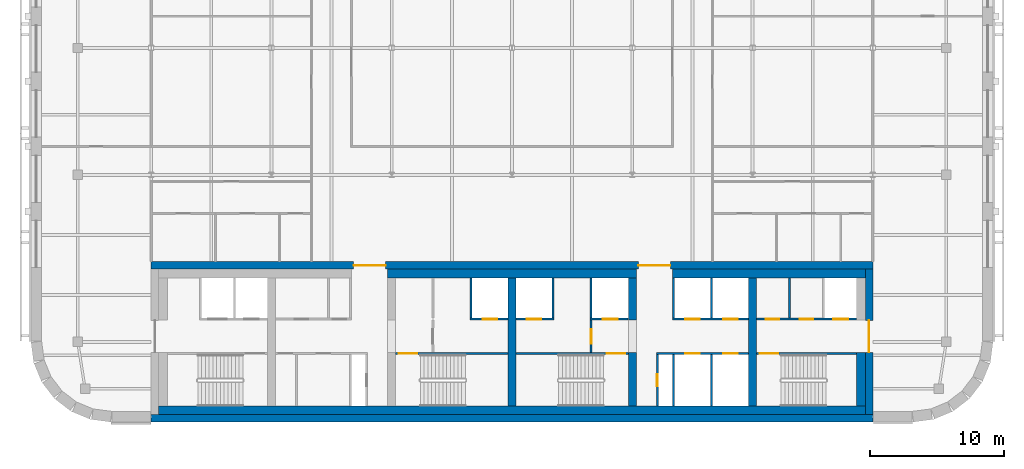
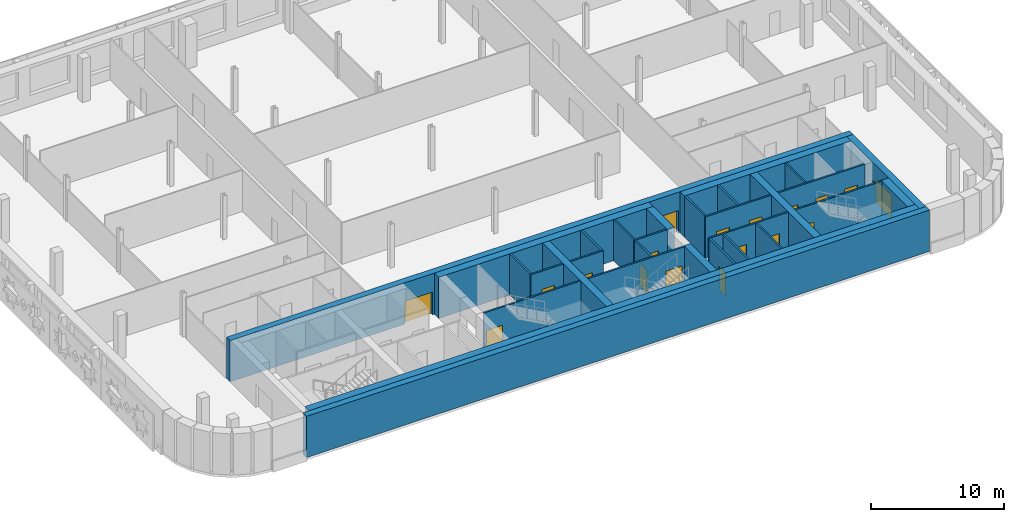
# One storey, part 8 of 16: 30 walls, 18 doors, 18 openings.
"""IFC4 building model written with IfcOpenShell, lengths in metres."""

from ifc_helpers import new_model, si_unit, direction, frame, frame_2d, origin, place, context, subcontext, project, spatial, rectangle, extrude, material, layer, layer_set, type_object, element, fill, save


model = new_model("IFC4")

# Units and contexts
model_context = context("Model", 3, precision=1e-05, world=origin(), true_north=direction((0.0, 1.0)))
body_context = subcontext(model_context, "Body", "Model", "MODEL_VIEW")
ifc_project = project(units=[si_unit("LENGTHUNIT", "METRE"), si_unit("AREAUNIT", "SQUARE_METRE"), si_unit("VOLUMEUNIT", "CUBIC_METRE"), si_unit("PLANEANGLEUNIT", "RADIAN"), si_unit("MASSUNIT", "GRAM", prefix="KILO")], contexts=[model_context])

# Site, building, storey
site_placement = place(None, origin())
site = spatial("IfcSite", under=ifc_project, at=site_placement, CompositionType="ELEMENT")
building_placement = place(site_placement, origin())
building = spatial("IfcBuilding", under=site, at=building_placement, Name="Zellij Exchange Tower", CompositionType="ELEMENT")
storey_placement = place(building_placement, frame((0.0, 0.0, 280.5)))
storey = spatial("IfcBuildingStorey", under=building, at=storey_placement, Name="L66", CompositionType="ELEMENT", Elevation=280.5)

# Walls
ifc_material_1 = material(Name="Concrete C50/60", Category="concrete")
ifc_layer_1 = layer(ifc_material_1, 0.60009765625)
ifc_layer_set_1 = layer_set([ifc_layer_1], Name="Concrete C50/60")
wall_type_1 = type_object("IfcWallType", Name="CORE-CW 600 C50/60", PredefinedType="SHEAR", material=ifc_layer_set_1)
wall_1_placement = place(storey_placement, frame((0.0, -12.800048828125, 0.0), z_axis=(0.0, 0.0, 1.0), x_axis=(0.0, 1.0, 0.0)))
element("IfcWall", 1, at=wall_1_placement, inside=storey, type_object=wall_type_1, Name="Core cross wall x 0 L66", PredefinedType="SHEAR", context=body_context, shape_type="SweptSolid", body=[
    extrude(rectangle(XDim=9.60009765625, YDim=0.60009765625, at=frame_2d((4.800048828125, 0.0))), origin(), (0.0, 0.0, 1.0), 3.780029296875),
])
wall_2_placement = place(storey_placement, frame((9.0, -12.800048828125, 0.0), z_axis=(0.0, 0.0, 1.0), x_axis=(0.0, 1.0, 0.0)))
element("IfcWall", 2, at=wall_2_placement, inside=storey, type_object=wall_type_1, Name="Core cross wall pier x 9 a L66", PredefinedType="SHEAR", context=body_context, shape_type="SweptSolid", body=[
    extrude(rectangle(XDim=4.0, YDim=0.60009765625, at=frame_2d((2.0, 0.0))), origin(), (0.0, 0.0, 1.0), 3.780029296875),
])
wall_3_placement = place(storey_placement, frame((9.0, -6.375, 0.0), z_axis=(0.0, 0.0, 1.0), x_axis=(0.0, 1.0, 0.0)))
element("IfcWall", 3, at=wall_3_placement, inside=storey, type_object=wall_type_1, Name="Core cross wall pier x 9 b L66", PredefinedType="SHEAR", context=body_context, shape_type="SweptSolid", body=[
    extrude(rectangle(XDim=3.175048828125, YDim=0.60009765625, at=frame_2d((1.58740234375, 0.0))), origin(), (0.0, 0.0, 1.0), 3.780029296875),
])
wall_4_placement = place(storey_placement, frame((18.0, -12.800048828125, 0.0), z_axis=(0.0, 0.0, 1.0), x_axis=(0.0, 1.0, 0.0)))
element("IfcWall", 4, at=wall_4_placement, inside=storey, type_object=wall_type_1, Name="Core cross wall x 18 L66", PredefinedType="SHEAR", context=body_context, shape_type="SweptSolid", body=[
    extrude(rectangle(XDim=9.60009765625, YDim=0.60009765625, at=frame_2d((4.800048828125, 0.0))), origin(), (0.0, 0.0, 1.0), 3.780029296875),
])
ifc_material_2 = material(Name="Concrete C30/37", Category="concrete")
ifc_layer_2 = layer(ifc_material_2, 0.64990234375)
ifc_layer_set_2 = layer_set([ifc_layer_2], Name="Concrete C30/37")
wall_type_2 = type_object("IfcWallType", Name="CORE-LW 650 C30/37", PredefinedType="SHEAR", material=ifc_layer_set_2)
wall_5_placement = place(storey_placement, frame((-9.300048828125, -2.875, 0.0), z_axis=(0.0, 0.0, 1.0), x_axis=(1.0, 0.0, 0.0)))
element("IfcWall", 5, at=wall_5_placement, inside=storey, type_object=wall_type_2, Name="Core wall lining front.1 L66", PredefinedType="SHEAR", context=body_context, shape_type="SweptSolid", body=[
    extrude(rectangle(XDim=18.60009765625, YDim=0.64990234375, at=frame_2d((9.300048828125, 0.0))), origin(), (0.0, 0.0, 1.0), 3.780029296875),
])
wall_6_placement = place(storey_placement, frame((12.0, -2.875, 0.0), z_axis=(0.0, 0.0, 1.0), x_axis=(1.0, 0.0, 0.0)))
element("IfcWall", 6, at=wall_6_placement, inside=storey, type_object=wall_type_2, Name="Core wall lining front.2 L66", PredefinedType="SHEAR", context=body_context, shape_type="SweptSolid", body=[
    extrude(rectangle(XDim=14.449951171875, YDim=0.64990234375, at=frame_2d((7.22509765625, 0.0))), origin(), (0.0, 0.0, 1.0), 3.780029296875),
])
wall_7_placement = place(storey_placement, frame((-26.449951171875, -13.125, 0.0), z_axis=(0.0, 0.0, 1.0), x_axis=(1.0, 0.0, 0.0)))
element("IfcWall", 7, at=wall_7_placement, inside=storey, type_object=wall_type_2, Name="Core wall lining rear.0 L66", PredefinedType="SHEAR", context=body_context, shape_type="SweptSolid", body=[
    extrude(rectangle(XDim=52.89990234375, YDim=0.64990234375, at=frame_2d((26.449951171875, 0.0))), origin(), (0.0, 0.0, 1.0), 3.780029296875),
])
wall_8_placement = place(storey_placement, frame((26.125, -12.800048828125, 0.0), z_axis=(0.0, 0.0, 1.0), x_axis=(0.0, 1.0, 0.0)))
element("IfcWall", 8, at=wall_8_placement, inside=storey, type_object=wall_type_2, Name="Core wall lining end e.0 L66", PredefinedType="SHEAR", context=body_context, shape_type="SweptSolid", body=[
    extrude(rectangle(XDim=4.0, YDim=0.64990234375, at=frame_2d((2.0, 0.0))), origin(), (0.0, 0.0, 1.0), 3.780029296875),
])

# Wall, opening, door
ifc_material_3 = material(Name="Gypsum shaft wall system")
ifc_layer_3 = layer(ifc_material_3, 0.14990234375)
ifc_layer_set_3 = layer_set([ifc_layer_3], Name="Gypsum shaft wall system")
wall_type_3 = type_object("IfcWallType", Name="CORE-PW 150 Firefighting lobby wall", PredefinedType="PARTITIONING", material=ifc_layer_set_3)
wall_9_placement = place(storey_placement, frame((5.925048828125, -8.800048828125, 0.0), z_axis=(0.0, 0.0, 1.0), x_axis=(0.0, 1.0, 0.0)))
wall_9 = element("IfcWall", 9, at=wall_9_placement, inside=storey, type_object=wall_type_3, Name="Firefighting lobby wall L66", PredefinedType="PARTITIONING", context=body_context, shape_type="SweptSolid", body=[
    extrude(rectangle(XDim=2.425048828125, YDim=0.14990234375, at=frame_2d((1.21240234375, 0.0))), origin(), (0.0, 0.0, 1.0), 3.780029296875),
])
opening_1_placement = place(wall_9_placement, frame((0.662109375, 0.0, 0.0)))
opening_1 = element("IfcOpeningElement", 10, at=opening_1_placement, cuts=wall_9, Name="Opening CA-35.15", PredefinedType="OPENING", context=body_context, shape_type="SweptSolid", body=[
    extrude(rectangle(XDim=1.10009765625, YDim=2.10009765625, at=frame_2d((0.550048828125, 1.050048828125))), frame((0.0, 0.0869140625, 0.0), z_axis=(0.0, -1.0, 0.0), x_axis=(1.0, 0.0, 0.0)), (0.0, 0.0, 1.0), 0.173828125),
])
ifc_material_4 = material(Name="Hollow metal fire door")
door_type_1 = type_object("IfcDoorType", Name="CORE-D F Firefighting lobby door 1100x2100 1 HR", OperationType="NOTDEFINED", PredefinedType="DOOR", material=ifc_material_4)
door_1_placement = place(opening_1_placement, origin())
door_1 = element("IfcDoor", 11, at=door_1_placement, inside=storey, type_object=door_type_1, Name="Firefighting lobby door CA-35.15", OperationType="SINGLE_SWING_RIGHT", OverallHeight=2.10009765625, OverallWidth=1.10009765625, PredefinedType="DOOR", context=body_context, shape_type="SweptSolid", body=[
    extrude(rectangle(XDim=1.10009765625, YDim=2.10009765625, at=frame_2d((0.550048828125, 1.050048828125))), frame((0.0, 0.02490234375, 0.0), z_axis=(0.0, -1.0, 0.0), x_axis=(1.0, 0.0, 0.0)), (0.0, 0.0, 1.0), 0.050048828125),
])
fill(opening_1, door_1)

# Wall
ifc_material_5 = material(Name="Gypsum board partition")
ifc_layer_4 = layer(ifc_material_5, 0.14990234375)
ifc_layer_set_4 = layer_set([ifc_layer_4], Name="Gypsum board partition")
wall_type_4 = type_object("IfcWallType", Name="CORE-PW 150 Lift lobby wall", PredefinedType="PARTITIONING", material=ifc_layer_set_4)
wall_10_placement = place(storey_placement, frame((20.77490234375, -6.22509765625, 0.0), z_axis=(0.0, 0.0, 1.0), x_axis=(0.0, 1.0, 0.0)))
element("IfcWall", 12, at=wall_10_placement, inside=storey, type_object=wall_type_4, Name="Lift lobby wall L66", PredefinedType="PARTITIONING", context=body_context, shape_type="SweptSolid", body=[
    extrude(rectangle(XDim=3.025146484375, YDim=0.14990234375, at=frame_2d((1.5126953125, 0.0))), origin(), (0.0, 0.0, 1.0), 3.780029296875),
])

# Wall, opening, door
wall_11_placement = place(storey_placement, frame((10.875, -12.800048828125, 0.0), z_axis=(0.0, 0.0, 1.0), x_axis=(0.0, 1.0, 0.0)))
wall_11 = element("IfcWall", 13, at=wall_11_placement, inside=storey, type_object=wall_type_4, Name="Lift lobby wall L66", PredefinedType="PARTITIONING", context=body_context, shape_type="SweptSolid", body=[
    extrude(rectangle(XDim=3.85009765625, YDim=0.14990234375, at=frame_2d((1.925048828125, 0.0))), origin(), (0.0, 0.0, 1.0), 3.780029296875),
])
opening_2_placement = place(wall_11_placement, frame((1.47509765625, 0.0, 0.0)))
opening_2 = element("IfcOpeningElement", 14, at=opening_2_placement, cuts=wall_11, Name="Opening CA-35.19", PredefinedType="OPENING", context=body_context, shape_type="SweptSolid", body=[
    extrude(rectangle(XDim=0.89990234375, YDim=2.10009765625, at=frame_2d((0.449951171875, 1.050048828125))), frame((0.0, 0.0869140625, 0.0), z_axis=(0.0, -1.0, 0.0), x_axis=(1.0, 0.0, 0.0)), (0.0, 0.0, 1.0), 0.173828125),
])
door_type_2 = type_object("IfcDoorType", Name="CORE-D RD Riser door 900x2100 1.5 HR", OperationType="NOTDEFINED", PredefinedType="DOOR", material=ifc_material_4)
door_2_placement = place(opening_2_placement, origin())
door_2 = element("IfcDoor", 15, at=door_2_placement, inside=storey, type_object=door_type_2, Name="Riser door CA-35.19", OperationType="SINGLE_SWING_LEFT", OverallHeight=2.10009765625, OverallWidth=0.89990234375, PredefinedType="DOOR", context=body_context, shape_type="SweptSolid", body=[
    extrude(rectangle(XDim=0.89990234375, YDim=2.10009765625, at=frame_2d((0.449951171875, 1.050048828125))), frame((0.0, 0.02490234375, 0.0), z_axis=(0.0, -1.0, 0.0), x_axis=(1.0, 0.0, 0.0)), (0.0, 0.0, 1.0), 0.050048828125),
])
fill(opening_2, door_2)

# Walls
ifc_layer_5 = layer(ifc_material_3, 0.14990234375)
ifc_layer_set_5 = layer_set([ifc_layer_5], Name="Gypsum shaft wall system")
wall_type_5 = type_object("IfcWallType", Name="CORE-PW 150 Lift shaft wall", PredefinedType="PARTITIONING", material=ifc_layer_set_5)
for number, where, z_axis, x_axis, name in (
    (16, (-3.074951171875, -6.22509765625, 0.0), (0.0, 0.0, 1.0), (0.0, 1.0, 0.0), "Lift shaft wall L66"),
    (17, (3.074951171875, -6.22509765625, 0.0), (0.0, 0.0, 1.0), (0.0, 1.0, 0.0), "Lift shaft wall L66"),
    (18, (5.925048828125, -6.22509765625, 0.0), (0.0, 0.0, 1.0), (0.0, 1.0, 0.0), "Lift shaft wall L66"),
    (19, (12.074951171875, -6.22509765625, 0.0), (0.0, 0.0, 1.0), (0.0, 1.0, 0.0), "Lift shaft wall L66"),
    (20, (14.925048828125, -6.22509765625, 0.0), (0.0, 0.0, 1.0), (0.0, 1.0, 0.0), "Lift shaft wall L66"),
):
    element("IfcWall", number, at=place(storey_placement, frame(where, z_axis=z_axis, x_axis=x_axis)), inside=storey, type_object=wall_type_5, Name=name, PredefinedType="PARTITIONING", context=body_context, shape_type="SweptSolid", body=[
        extrude(rectangle(XDim=3.025146484375, YDim=0.14990234375, at=frame_2d((1.5126953125, 0.0))), origin(), (0.0, 0.0, 1.0), 3.780029296875),
    ])
for number, where, z_axis, x_axis, name in (
    (21, (12.074951171875, -12.800048828125, 0.0), (0.0, 0.0, 1.0), (0.0, 1.0, 0.0), "Lift shaft wall L66"),
    (22, (14.925048828125, -12.800048828125, 0.0), (0.0, 0.0, 1.0), (0.0, 1.0, 0.0), "Lift shaft wall L66"),
):
    element("IfcWall", number, at=place(storey_placement, frame(where, z_axis=z_axis, x_axis=x_axis)), inside=storey, type_object=wall_type_5, Name=name, PredefinedType="PARTITIONING", context=body_context, shape_type="SweptSolid", body=[
        extrude(rectangle(XDim=3.85009765625, YDim=0.14990234375, at=frame_2d((1.925048828125, 0.0))), origin(), (0.0, 0.0, 1.0), 3.780029296875),
    ])

# Wall, opening, door
wall_12_placement = place(storey_placement, frame((-3.14990234375, -6.300048828125, 0.0), z_axis=(0.0, 0.0, 1.0), x_axis=(1.0, 0.0, 0.0)))
wall_12 = element("IfcWall", 23, at=wall_12_placement, inside=storey, type_object=wall_type_5, Name="Lift shaft wall L66", PredefinedType="PARTITIONING", context=body_context, shape_type="SweptSolid", body=[
    extrude(rectangle(XDim=2.849853515625, YDim=0.14990234375, at=frame_2d((1.4248046875, 0.0))), origin(), (0.0, 0.0, 1.0), 3.780029296875),
])
opening_3_placement = place(wall_12_placement, frame((0.949951171875, 0.0, 0.0)))
opening_3 = element("IfcOpeningElement", 24, at=opening_3_placement, cuts=wall_12, Name="Opening CA-35.13", PredefinedType="OPENING", context=body_context, shape_type="SweptSolid", body=[
    extrude(rectangle(XDim=1.10009765625, YDim=2.10009765625, at=frame_2d((0.550048828125, 1.050048828125))), frame((0.0, 0.0869140625, 0.0), z_axis=(0.0, -1.0, 0.0), x_axis=(1.0, 0.0, 0.0)), (0.0, 0.0, 1.0), 0.173828125),
])
door_type_3 = type_object("IfcDoorType", Name="CORE-D LD Lift landing door 1100x2100 1.5 HR", OperationType="NOTDEFINED", PredefinedType="DOOR", material=ifc_material_4)
door_3_placement = place(opening_3_placement, origin())
door_3 = element("IfcDoor", 25, at=door_3_placement, inside=storey, type_object=door_type_3, Name="Lift landing door CA-35.13", OperationType="SLIDING_TO_LEFT", OverallHeight=2.10009765625, OverallWidth=1.10009765625, PredefinedType="DOOR", context=body_context, shape_type="SweptSolid", body=[
    extrude(rectangle(XDim=1.10009765625, YDim=2.10009765625, at=frame_2d((0.550048828125, 1.050048828125))), frame((0.0, 0.02490234375, 0.0), z_axis=(0.0, -1.0, 0.0), x_axis=(1.0, 0.0, 0.0)), (0.0, 0.0, 1.0), 0.050048828125),
])
fill(opening_3, door_3)

wall_13_placement = place(storey_placement, frame((0.300048828125, -6.300048828125, 0.0), z_axis=(0.0, 0.0, 1.0), x_axis=(1.0, 0.0, 0.0)))
wall_13 = element("IfcWall", 26, at=wall_13_placement, inside=storey, type_object=wall_type_5, Name="Lift shaft wall L66", PredefinedType="PARTITIONING", context=body_context, shape_type="SweptSolid", body=[
    extrude(rectangle(XDim=2.849853515625, YDim=0.14990234375, at=frame_2d((1.4248046875, 0.0))), origin(), (0.0, 0.0, 1.0), 3.780029296875),
])
opening_4_placement = place(wall_13_placement, frame((0.800048828125, 0.0, 0.0)))
opening_4 = element("IfcOpeningElement", 27, at=opening_4_placement, cuts=wall_13, Name="Opening CA-35.14", PredefinedType="OPENING", context=body_context, shape_type="SweptSolid", body=[
    extrude(rectangle(XDim=1.10009765625, YDim=2.10009765625, at=frame_2d((0.550048828125, 1.050048828125))), frame((0.0, 0.0869140625, 0.0), z_axis=(0.0, -1.0, 0.0), x_axis=(1.0, 0.0, 0.0)), (0.0, 0.0, 1.0), 0.173828125),
])
door_4_placement = place(opening_4_placement, origin())
door_4 = element("IfcDoor", 28, at=door_4_placement, inside=storey, type_object=door_type_3, Name="Lift landing door CA-35.14", OperationType="SLIDING_TO_RIGHT", OverallHeight=2.10009765625, OverallWidth=1.10009765625, PredefinedType="DOOR", context=body_context, shape_type="SweptSolid", body=[
    extrude(rectangle(XDim=1.10009765625, YDim=2.10009765625, at=frame_2d((0.550048828125, 1.050048828125))), frame((0.0, 0.02490234375, 0.0), z_axis=(0.0, -1.0, 0.0), x_axis=(1.0, 0.0, 0.0)), (0.0, 0.0, 1.0), 0.050048828125),
])
fill(opening_4, door_4)

wall_14_placement = place(storey_placement, frame((5.85009765625, -6.300048828125, 0.0), z_axis=(0.0, 0.0, 1.0), x_axis=(1.0, 0.0, 0.0)))
wall_14 = element("IfcWall", 29, at=wall_14_placement, inside=storey, type_object=wall_type_5, Name="Lift shaft wall L66", PredefinedType="PARTITIONING", context=body_context, shape_type="SweptSolid", body=[
    extrude(rectangle(XDim=2.849853515625, YDim=0.14990234375, at=frame_2d((1.4248046875, 0.0))), origin(), (0.0, 0.0, 1.0), 3.780029296875),
])
opening_5_placement = place(wall_14_placement, frame((0.949951171875, 0.0, 0.0)))
opening_5 = element("IfcOpeningElement", 30, at=opening_5_placement, cuts=wall_14, Name="Opening CA-35.16", PredefinedType="OPENING", context=body_context, shape_type="SweptSolid", body=[
    extrude(rectangle(XDim=1.10009765625, YDim=2.10009765625, at=frame_2d((0.550048828125, 1.050048828125))), frame((0.0, 0.0869140625, 0.0), z_axis=(0.0, -1.0, 0.0), x_axis=(1.0, 0.0, 0.0)), (0.0, 0.0, 1.0), 0.173828125),
])
door_5_placement = place(opening_5_placement, origin())
door_5 = element("IfcDoor", 31, at=door_5_placement, inside=storey, type_object=door_type_3, Name="Lift landing door CA-35.16", OperationType="SLIDING_TO_RIGHT", OverallHeight=2.10009765625, OverallWidth=1.10009765625, PredefinedType="DOOR", context=body_context, shape_type="SweptSolid", body=[
    extrude(rectangle(XDim=1.10009765625, YDim=2.10009765625, at=frame_2d((0.550048828125, 1.050048828125))), frame((0.0, 0.02490234375, 0.0), z_axis=(0.0, -1.0, 0.0), x_axis=(1.0, 0.0, 0.0)), (0.0, 0.0, 1.0), 0.050048828125),
])
fill(opening_5, door_5)

# Wall, openings, doors
wall_15_placement = place(storey_placement, frame((12.0, -6.300048828125, 0.0), z_axis=(0.0, 0.0, 1.0), x_axis=(1.0, 0.0, 0.0)))
wall_15 = element("IfcWall", 32, at=wall_15_placement, inside=storey, type_object=wall_type_5, Name="Lift shaft wall L66", PredefinedType="PARTITIONING", context=body_context, shape_type="SweptSolid", body=[
    extrude(rectangle(XDim=5.699951171875, YDim=0.14990234375, at=frame_2d((2.85009765625, 0.0))), origin(), (0.0, 0.0, 1.0), 3.780029296875),
])
opening_6_placement = place(wall_15_placement, frame((0.949951171875, 0.0, 0.0)))
opening_6 = element("IfcOpeningElement", 33, at=opening_6_placement, cuts=wall_15, Name="Opening CA-35.21", PredefinedType="OPENING", context=body_context, shape_type="SweptSolid", body=[
    extrude(rectangle(XDim=1.10009765625, YDim=2.10009765625, at=frame_2d((0.550048828125, 1.050048828125))), frame((0.0, 0.0869140625, 0.0), z_axis=(0.0, -1.0, 0.0), x_axis=(1.0, 0.0, 0.0)), (0.0, 0.0, 1.0), 0.173828125),
])
opening_7_placement = place(wall_15_placement, frame((3.800048828125, 0.0, 0.0)))
opening_7 = element("IfcOpeningElement", 34, at=opening_7_placement, cuts=wall_15, Name="Opening CA-35.23", PredefinedType="OPENING", context=body_context, shape_type="SweptSolid", body=[
    extrude(rectangle(XDim=1.10009765625, YDim=2.10009765625, at=frame_2d((0.550048828125, 1.050048828125))), frame((0.0, 0.0869140625, 0.0), z_axis=(0.0, -1.0, 0.0), x_axis=(1.0, 0.0, 0.0)), (0.0, 0.0, 1.0), 0.173828125),
])
door_6_placement = place(opening_6_placement, origin())
door_6 = element("IfcDoor", 35, at=door_6_placement, inside=storey, type_object=door_type_3, Name="Lift landing door CA-35.21", OperationType="SLIDING_TO_LEFT", OverallHeight=2.10009765625, OverallWidth=1.10009765625, PredefinedType="DOOR", context=body_context, shape_type="SweptSolid", body=[
    extrude(rectangle(XDim=1.10009765625, YDim=2.10009765625, at=frame_2d((0.550048828125, 1.050048828125))), frame((0.0, 0.02490234375, 0.0), z_axis=(0.0, -1.0, 0.0), x_axis=(1.0, 0.0, 0.0)), (0.0, 0.0, 1.0), 0.050048828125),
])
fill(opening_6, door_6)
door_7_placement = place(opening_7_placement, origin())
door_7 = element("IfcDoor", 36, at=door_7_placement, inside=storey, type_object=door_type_3, Name="Lift landing door CA-35.23", OperationType="SLIDING_TO_LEFT", OverallHeight=2.10009765625, OverallWidth=1.10009765625, PredefinedType="DOOR", context=body_context, shape_type="SweptSolid", body=[
    extrude(rectangle(XDim=1.10009765625, YDim=2.10009765625, at=frame_2d((0.550048828125, 1.050048828125))), frame((0.0, 0.02490234375, 0.0), z_axis=(0.0, -1.0, 0.0), x_axis=(1.0, 0.0, 0.0)), (0.0, 0.0, 1.0), 0.050048828125),
])
fill(opening_7, door_7)

wall_16_placement = place(storey_placement, frame((18.300048828125, -6.300048828125, 0.0), z_axis=(0.0, 0.0, 1.0), x_axis=(1.0, 0.0, 0.0)))
wall_16 = element("IfcWall", 37, at=wall_16_placement, inside=storey, type_object=wall_type_5, Name="Lift shaft wall L66", PredefinedType="PARTITIONING", context=body_context, shape_type="SweptSolid", body=[
    extrude(rectangle(XDim=7.5, YDim=0.14990234375, at=frame_2d((3.75, 0.0))), origin(), (0.0, 0.0, 1.0), 3.780029296875),
])
opening_8_placement = place(wall_16_placement, frame((0.699951171875, 0.0, 0.0)))
opening_8 = element("IfcOpeningElement", 38, at=opening_8_placement, cuts=wall_16, Name="Opening CA-35.25", PredefinedType="OPENING", context=body_context, shape_type="SweptSolid", body=[
    extrude(rectangle(XDim=1.0, YDim=2.10009765625, at=frame_2d((0.5, 1.050048828125))), frame((0.0, 0.0869140625, 0.0), z_axis=(0.0, -1.0, 0.0), x_axis=(1.0, 0.0, 0.0)), (0.0, 0.0, 1.0), 0.173828125),
])
opening_9_placement = place(wall_16_placement, frame((3.25, 0.0, 0.0)))
opening_9 = element("IfcOpeningElement", 39, at=opening_9_placement, cuts=wall_16, Name="Opening CA-35.26", PredefinedType="OPENING", context=body_context, shape_type="SweptSolid", body=[
    extrude(rectangle(XDim=1.0, YDim=2.10009765625, at=frame_2d((0.5, 1.050048828125))), frame((0.0, 0.0869140625, 0.0), z_axis=(0.0, -1.0, 0.0), x_axis=(1.0, 0.0, 0.0)), (0.0, 0.0, 1.0), 0.173828125),
])
opening_10_placement = place(wall_16_placement, frame((5.75, 0.0, 0.0)))
opening_10 = element("IfcOpeningElement", 40, at=opening_10_placement, cuts=wall_16, Name="Opening CA-35.27", PredefinedType="OPENING", context=body_context, shape_type="SweptSolid", body=[
    extrude(rectangle(XDim=1.10009765625, YDim=2.10009765625, at=frame_2d((0.550048828125, 1.050048828125))), frame((0.0, 0.0869140625, 0.0), z_axis=(0.0, -1.0, 0.0), x_axis=(1.0, 0.0, 0.0)), (0.0, 0.0, 1.0), 0.173828125),
])
door_type_4 = type_object("IfcDoorType", Name="CORE-D CD Core room door 1000x2100 1 HR", OperationType="NOTDEFINED", PredefinedType="DOOR", material=ifc_material_4)
door_8_placement = place(opening_8_placement, origin())
door_8 = element("IfcDoor", 41, at=door_8_placement, inside=storey, type_object=door_type_4, Name="Core room door CA-35.25", OperationType="SINGLE_SWING_LEFT", OverallHeight=2.10009765625, OverallWidth=1.0, PredefinedType="DOOR", context=body_context, shape_type="SweptSolid", body=[
    extrude(rectangle(XDim=1.0, YDim=2.10009765625, at=frame_2d((0.5, 1.050048828125))), frame((0.0, 0.02490234375, 0.0), z_axis=(0.0, -1.0, 0.0), x_axis=(1.0, 0.0, 0.0)), (0.0, 0.0, 1.0), 0.050048828125),
])
fill(opening_8, door_8)
door_9_placement = place(opening_9_placement, origin())
door_9 = element("IfcDoor", 42, at=door_9_placement, inside=storey, type_object=door_type_4, Name="Core room door CA-35.26", OperationType="SINGLE_SWING_LEFT", OverallHeight=2.10009765625, OverallWidth=1.0, PredefinedType="DOOR", context=body_context, shape_type="SweptSolid", body=[
    extrude(rectangle(XDim=1.0, YDim=2.10009765625, at=frame_2d((0.5, 1.050048828125))), frame((0.0, 0.02490234375, 0.0), z_axis=(0.0, -1.0, 0.0), x_axis=(1.0, 0.0, 0.0)), (0.0, 0.0, 1.0), 0.050048828125),
])
fill(opening_9, door_9)
door_10_placement = place(opening_10_placement, origin())
door_10 = element("IfcDoor", 43, at=door_10_placement, inside=storey, type_object=door_type_3, Name="Lift landing door CA-35.27", OperationType="SLIDING_TO_LEFT", OverallHeight=2.10009765625, OverallWidth=1.10009765625, PredefinedType="DOOR", context=body_context, shape_type="SweptSolid", body=[
    extrude(rectangle(XDim=1.10009765625, YDim=2.10009765625, at=frame_2d((0.550048828125, 1.050048828125))), frame((0.0, 0.02490234375, 0.0), z_axis=(0.0, -1.0, 0.0), x_axis=(1.0, 0.0, 0.0)), (0.0, 0.0, 1.0), 0.050048828125),
])
fill(opening_10, door_10)

wall_17_placement = place(storey_placement, frame((10.800048828125, -8.875, 0.0), z_axis=(0.0, 0.0, 1.0), x_axis=(1.0, 0.0, 0.0)))
wall_17 = element("IfcWall", 44, at=wall_17_placement, inside=storey, type_object=wall_type_5, Name="Lift shaft wall L66", PredefinedType="PARTITIONING", context=body_context, shape_type="SweptSolid", body=[
    extrude(rectangle(XDim=6.89990234375, YDim=0.14990234375, at=frame_2d((3.449951171875, 0.0))), origin(), (0.0, 0.0, 1.0), 3.780029296875),
])
opening_11_placement = place(wall_17_placement, frame((2.14990234375, 0.0, 0.0)))
opening_11 = element("IfcOpeningElement", 45, at=opening_11_placement, cuts=wall_17, Name="Opening CA-35.20", PredefinedType="OPENING", context=body_context, shape_type="SweptSolid", body=[
    extrude(rectangle(XDim=1.10009765625, YDim=2.10009765625, at=frame_2d((0.550048828125, 1.050048828125))), frame((0.0, 0.0869140625, 0.0), z_axis=(0.0, -1.0, 0.0), x_axis=(1.0, 0.0, 0.0)), (0.0, 0.0, 1.0), 0.173828125),
])
opening_12_placement = place(wall_17_placement, frame((5.0, 0.0, 0.0)))
opening_12 = element("IfcOpeningElement", 46, at=opening_12_placement, cuts=wall_17, Name="Opening CA-35.22", PredefinedType="OPENING", context=body_context, shape_type="SweptSolid", body=[
    extrude(rectangle(XDim=1.10009765625, YDim=2.10009765625, at=frame_2d((0.550048828125, 1.050048828125))), frame((0.0, 0.0869140625, 0.0), z_axis=(0.0, -1.0, 0.0), x_axis=(1.0, 0.0, 0.0)), (0.0, 0.0, 1.0), 0.173828125),
])
door_11_placement = place(opening_11_placement, origin())
door_11 = element("IfcDoor", 47, at=door_11_placement, inside=storey, type_object=door_type_3, Name="Lift landing door CA-35.20", OperationType="SLIDING_TO_RIGHT", OverallHeight=2.10009765625, OverallWidth=1.10009765625, PredefinedType="DOOR", context=body_context, shape_type="SweptSolid", body=[
    extrude(rectangle(XDim=1.10009765625, YDim=2.10009765625, at=frame_2d((0.550048828125, 1.050048828125))), frame((0.0, 0.02490234375, 0.0), z_axis=(0.0, -1.0, 0.0), x_axis=(1.0, 0.0, 0.0)), (0.0, 0.0, 1.0), 0.050048828125),
])
fill(opening_11, door_11)
door_12_placement = place(opening_12_placement, origin())
door_12 = element("IfcDoor", 48, at=door_12_placement, inside=storey, type_object=door_type_3, Name="Lift landing door CA-35.22", OperationType="SLIDING_TO_RIGHT", OverallHeight=2.10009765625, OverallWidth=1.10009765625, PredefinedType="DOOR", context=body_context, shape_type="SweptSolid", body=[
    extrude(rectangle(XDim=1.10009765625, YDim=2.10009765625, at=frame_2d((0.550048828125, 1.050048828125))), frame((0.0, 0.02490234375, 0.0), z_axis=(0.0, -1.0, 0.0), x_axis=(1.0, 0.0, 0.0)), (0.0, 0.0, 1.0), 0.050048828125),
])
fill(opening_12, door_12)

ifc_layer_6 = layer(ifc_material_1, 0.550048828125)
ifc_layer_set_6 = layer_set([ifc_layer_6], Name="Concrete C50/60")
wall_type_6 = type_object("IfcWallType", Name="CORE-SW 550 C50/60", PredefinedType="SHEAR", material=ifc_layer_set_6)
wall_18_placement = place(storey_placement, frame((-27.0, -2.27490234375, 0.0), z_axis=(0.0, 0.0, 1.0), x_axis=(1.0, 0.0, 0.0)))
wall_18 = element("IfcWall", 49, at=wall_18_placement, inside=storey, type_object=wall_type_6, Name="Core shear wall front L66", PredefinedType="SHEAR", context=body_context, shape_type="SweptSolid", body=[
    extrude(rectangle(XDim=54.0, YDim=0.550048828125, at=frame_2d((27.0, 0.0))), origin(), (0.0, 0.0, 1.0), 3.780029296875),
])
opening_13_placement = place(wall_18_placement, frame((15.14990234375, 0.0, 0.0)))
opening_13 = element("IfcOpeningElement", 50, at=opening_13_placement, cuts=wall_18, Name="Opening CA-35.10", PredefinedType="OPENING", context=body_context, shape_type="SweptSolid", body=[
    extrude(rectangle(XDim=2.39990234375, YDim=2.10009765625, at=frame_2d((1.199951171875, 1.050048828125))), frame((0.0, 0.287109375, 0.0), z_axis=(0.0, -1.0, 0.0), x_axis=(1.0, 0.0, 0.0)), (0.0, 0.0, 1.0), 0.573974609375),
])
opening_14_placement = place(wall_18_placement, frame((36.449951171875, 0.0, 0.0)))
opening_14 = element("IfcOpeningElement", 51, at=opening_14_placement, cuts=wall_18, Name="Opening CA-35.18", PredefinedType="OPENING", context=body_context, shape_type="SweptSolid", body=[
    extrude(rectangle(XDim=2.39990234375, YDim=2.10009765625, at=frame_2d((1.199951171875, 1.050048828125))), frame((0.0, 0.287109375, 0.0), z_axis=(0.0, -1.0, 0.0), x_axis=(1.0, 0.0, 0.0)), (0.0, 0.0, 1.0), 0.573974609375),
])
door_type_5 = type_object("IfcDoorType", Name="CORE-D CE Core entrance door 2400x2100 20 MIN", OperationType="NOTDEFINED", PredefinedType="DOOR", material=ifc_material_4)
door_13_placement = place(opening_13_placement, origin())
door_13 = element("IfcDoor", 52, at=door_13_placement, inside=storey, type_object=door_type_5, Name="Core entrance door CA-35.10", OperationType="DOUBLE_DOOR_SINGLE_SWING", OverallHeight=2.10009765625, OverallWidth=2.39990234375, PredefinedType="DOOR", context=body_context, shape_type="SweptSolid", body=[
    extrude(rectangle(XDim=2.39990234375, YDim=2.10009765625, at=frame_2d((1.199951171875, 1.050048828125))), frame((0.0, 0.02490234375, 0.0), z_axis=(0.0, -1.0, 0.0), x_axis=(1.0, 0.0, 0.0)), (0.0, 0.0, 1.0), 0.050048828125),
])
fill(opening_13, door_13)
door_14_placement = place(opening_14_placement, origin())
door_14 = element("IfcDoor", 53, at=door_14_placement, inside=storey, type_object=door_type_5, Name="Core entrance door CA-35.18", OperationType="DOUBLE_DOOR_SINGLE_SWING", OverallHeight=2.10009765625, OverallWidth=2.39990234375, PredefinedType="DOOR", context=body_context, shape_type="SweptSolid", body=[
    extrude(rectangle(XDim=2.39990234375, YDim=2.10009765625, at=frame_2d((1.199951171875, 1.050048828125))), frame((0.0, 0.02490234375, 0.0), z_axis=(0.0, -1.0, 0.0), x_axis=(1.0, 0.0, 0.0)), (0.0, 0.0, 1.0), 0.050048828125),
])
fill(opening_14, door_14)

# Wall
wall_19_placement = place(storey_placement, frame((-27.0, -13.72509765625, 0.0), z_axis=(0.0, 0.0, 1.0), x_axis=(1.0, 0.0, 0.0)))
element("IfcWall", 54, at=wall_19_placement, inside=storey, type_object=wall_type_6, Name="Core shear wall rear L66", PredefinedType="SHEAR", context=body_context, shape_type="SweptSolid", body=[
    extrude(rectangle(XDim=54.0, YDim=0.550048828125, at=frame_2d((27.0, 0.0))), origin(), (0.0, 0.0, 1.0), 3.780029296875),
])

# Wall, opening, door
wall_20_placement = place(storey_placement, frame((26.72509765625, -13.449951171875, 0.0), z_axis=(0.0, 0.0, 1.0), x_axis=(0.0, 1.0, 0.0)))
wall_20 = element("IfcWall", 55, at=wall_20_placement, inside=storey, type_object=wall_type_6, Name="Core shear wall end e L66", PredefinedType="SHEAR", context=body_context, shape_type="SweptSolid", body=[
    extrude(rectangle(XDim=10.89990234375, YDim=0.550048828125, at=frame_2d((5.449951171875, 0.0))), origin(), (0.0, 0.0, 1.0), 3.780029296875),
])
opening_15_placement = place(wall_20_placement, frame((4.662109375, 0.0, 0.0)))
opening_15 = element("IfcOpeningElement", 56, at=opening_15_placement, cuts=wall_20, Name="Opening CA-35.28", PredefinedType="OPENING", context=body_context, shape_type="SweptSolid", body=[
    extrude(rectangle(XDim=2.39990234375, YDim=2.10009765625, at=frame_2d((1.199951171875, 1.050048828125))), frame((0.0, 0.287109375, 0.0), z_axis=(0.0, -1.0, 0.0), x_axis=(1.0, 0.0, 0.0)), (0.0, 0.0, 1.0), 0.573974609375),
])
door_15_placement = place(opening_15_placement, origin())
door_15 = element("IfcDoor", 57, at=door_15_placement, inside=storey, type_object=door_type_5, Name="Core entrance door CA-35.28", OperationType="DOUBLE_DOOR_SINGLE_SWING", OverallHeight=2.10009765625, OverallWidth=2.39990234375, PredefinedType="DOOR", context=body_context, shape_type="SweptSolid", body=[
    extrude(rectangle(XDim=2.39990234375, YDim=2.10009765625, at=frame_2d((1.199951171875, 1.050048828125))), frame((0.0, 0.02490234375, 0.0), z_axis=(0.0, -1.0, 0.0), x_axis=(1.0, 0.0, 0.0)), (0.0, 0.0, 1.0), 0.050048828125),
])
fill(opening_15, door_15)

ifc_layer_7 = layer(ifc_material_1, 0.14990234375)
ifc_layer_set_7 = layer_set([ifc_layer_7], Name="Concrete C50/60")
wall_type_7 = type_object("IfcWallType", Name="CORE-SWS 150 C50/60", PredefinedType="SHEAR", material=ifc_layer_set_7)
wall_21_placement = place(storey_placement, frame((-8.699951171875, -8.875, 0.0), z_axis=(0.0, 0.0, 1.0), x_axis=(1.0, 0.0, 0.0)))
wall_21 = element("IfcWall", 58, at=wall_21_placement, inside=storey, type_object=wall_type_7, Name="Stair enclosure wall L66", PredefinedType="SHEAR", context=body_context, shape_type="SweptSolid", body=[
    extrude(rectangle(XDim=8.39990234375, YDim=0.14990234375, at=frame_2d((4.199951171875, 0.0))), origin(), (0.0, 0.0, 1.0), 3.780029296875),
])
opening_16_placement = place(wall_21_placement, frame((0.22509765625, 0.0, 0.0)))
opening_16 = element("IfcOpeningElement", 59, at=opening_16_placement, cuts=wall_21, Name="Opening CA-35.11", PredefinedType="OPENING", context=body_context, shape_type="SweptSolid", body=[
    extrude(rectangle(XDim=1.39990234375, YDim=2.10009765625, at=frame_2d((0.699951171875, 1.050048828125))), frame((0.0, 0.0869140625, 0.0), z_axis=(0.0, -1.0, 0.0), x_axis=(1.0, 0.0, 0.0)), (0.0, 0.0, 1.0), 0.173828125),
])
door_type_6 = type_object("IfcDoorType", Name="CORE-D SD Stair door 1400x2100 1.5 HR", OperationType="NOTDEFINED", PredefinedType="DOOR", material=ifc_material_4)
door_16_placement = place(opening_16_placement, origin())
door_16 = element("IfcDoor", 60, at=door_16_placement, inside=storey, type_object=door_type_6, Name="Stair door CA-35.11", OperationType="DOUBLE_DOOR_SINGLE_SWING", OverallHeight=2.10009765625, OverallWidth=1.39990234375, PredefinedType="DOOR", context=body_context, shape_type="SweptSolid", body=[
    extrude(rectangle(XDim=1.39990234375, YDim=2.10009765625, at=frame_2d((0.699951171875, 1.050048828125))), frame((0.0, 0.02490234375, 0.0), z_axis=(0.0, -1.0, 0.0), x_axis=(1.0, 0.0, 0.0)), (0.0, 0.0, 1.0), 0.050048828125),
])
fill(opening_16, door_16)

wall_22_placement = place(storey_placement, frame((0.300048828125, -8.875, 0.0), z_axis=(0.0, 0.0, 1.0), x_axis=(1.0, 0.0, 0.0)))
wall_22 = element("IfcWall", 61, at=wall_22_placement, inside=storey, type_object=wall_type_7, Name="Stair enclosure wall L66", PredefinedType="SHEAR", context=body_context, shape_type="SweptSolid", body=[
    extrude(rectangle(XDim=8.39990234375, YDim=0.14990234375, at=frame_2d((4.199951171875, 0.0))), origin(), (0.0, 0.0, 1.0), 3.780029296875),
])
opening_17_placement = place(wall_22_placement, frame((6.77490234375, 0.0, 0.0)))
opening_17 = element("IfcOpeningElement", 62, at=opening_17_placement, cuts=wall_22, Name="Opening CA-35.17", PredefinedType="OPENING", context=body_context, shape_type="SweptSolid", body=[
    extrude(rectangle(XDim=1.39990234375, YDim=2.10009765625, at=frame_2d((0.699951171875, 1.050048828125))), frame((0.0, 0.0869140625, 0.0), z_axis=(0.0, -1.0, 0.0), x_axis=(1.0, 0.0, 0.0)), (0.0, 0.0, 1.0), 0.173828125),
])
door_17_placement = place(opening_17_placement, origin())
door_17 = element("IfcDoor", 63, at=door_17_placement, inside=storey, type_object=door_type_6, Name="Stair door CA-35.17", OperationType="DOUBLE_DOOR_SINGLE_SWING", OverallHeight=2.10009765625, OverallWidth=1.39990234375, PredefinedType="DOOR", context=body_context, shape_type="SweptSolid", body=[
    extrude(rectangle(XDim=1.39990234375, YDim=2.10009765625, at=frame_2d((0.699951171875, 1.050048828125))), frame((0.0, 0.02490234375, 0.0), z_axis=(0.0, -1.0, 0.0), x_axis=(1.0, 0.0, 0.0)), (0.0, 0.0, 1.0), 0.050048828125),
])
fill(opening_17, door_17)

wall_23_placement = place(storey_placement, frame((18.300048828125, -8.875, 0.0), z_axis=(0.0, 0.0, 1.0), x_axis=(1.0, 0.0, 0.0)))
wall_23 = element("IfcWall", 64, at=wall_23_placement, inside=storey, type_object=wall_type_7, Name="Stair enclosure wall L66", PredefinedType="SHEAR", context=body_context, shape_type="SweptSolid", body=[
    extrude(rectangle(XDim=7.5, YDim=0.14990234375, at=frame_2d((3.75, 0.0))), origin(), (0.0, 0.0, 1.0), 3.780029296875),
])
opening_18_placement = place(wall_23_placement, frame((0.22509765625, 0.0, 0.0)))
opening_18 = element("IfcOpeningElement", 65, at=opening_18_placement, cuts=wall_23, Name="Opening CA-35.24", PredefinedType="OPENING", context=body_context, shape_type="SweptSolid", body=[
    extrude(rectangle(XDim=1.39990234375, YDim=2.10009765625, at=frame_2d((0.699951171875, 1.050048828125))), frame((0.0, 0.0869140625, 0.0), z_axis=(0.0, -1.0, 0.0), x_axis=(1.0, 0.0, 0.0)), (0.0, 0.0, 1.0), 0.173828125),
])
door_18_placement = place(opening_18_placement, origin())
door_18 = element("IfcDoor", 66, at=door_18_placement, inside=storey, type_object=door_type_6, Name="Stair door CA-35.24", OperationType="DOUBLE_DOOR_SINGLE_SWING", OverallHeight=2.10009765625, OverallWidth=1.39990234375, PredefinedType="DOOR", context=body_context, shape_type="SweptSolid", body=[
    extrude(rectangle(XDim=1.39990234375, YDim=2.10009765625, at=frame_2d((0.699951171875, 1.050048828125))), frame((0.0, 0.02490234375, 0.0), z_axis=(0.0, -1.0, 0.0), x_axis=(1.0, 0.0, 0.0)), (0.0, 0.0, 1.0), 0.050048828125),
])
fill(opening_18, door_18)

save(model, "model.ifc")
